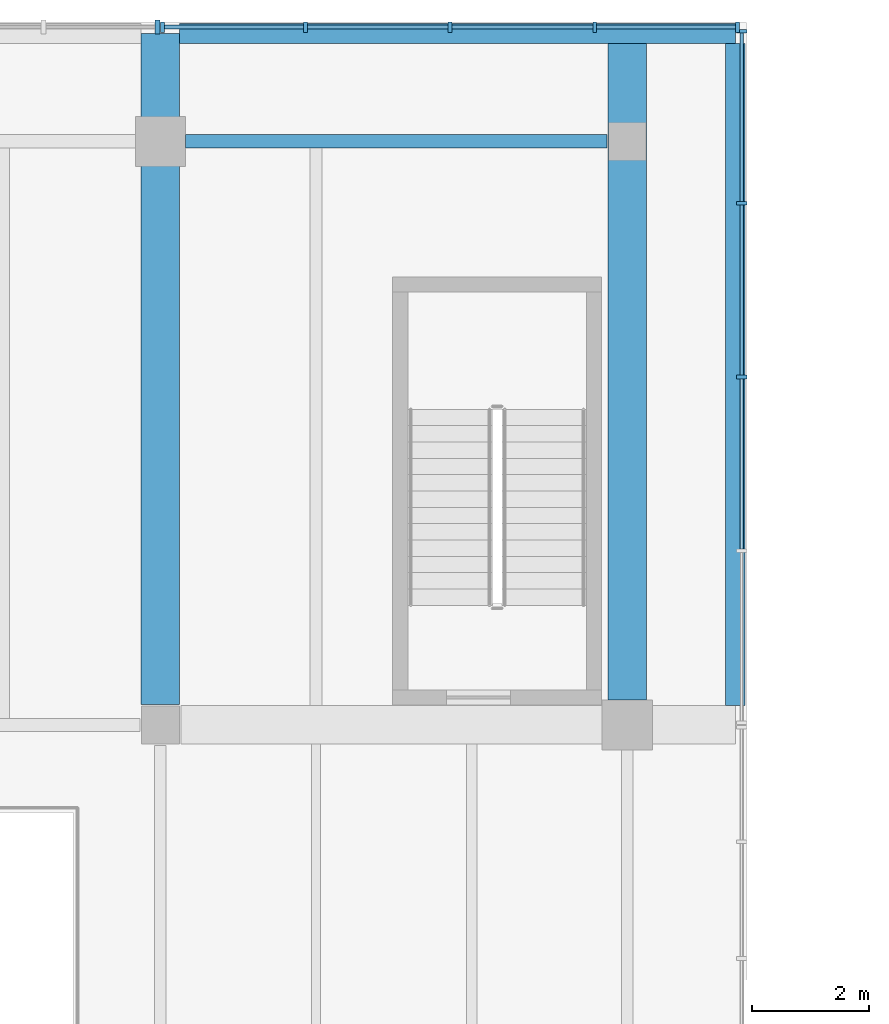
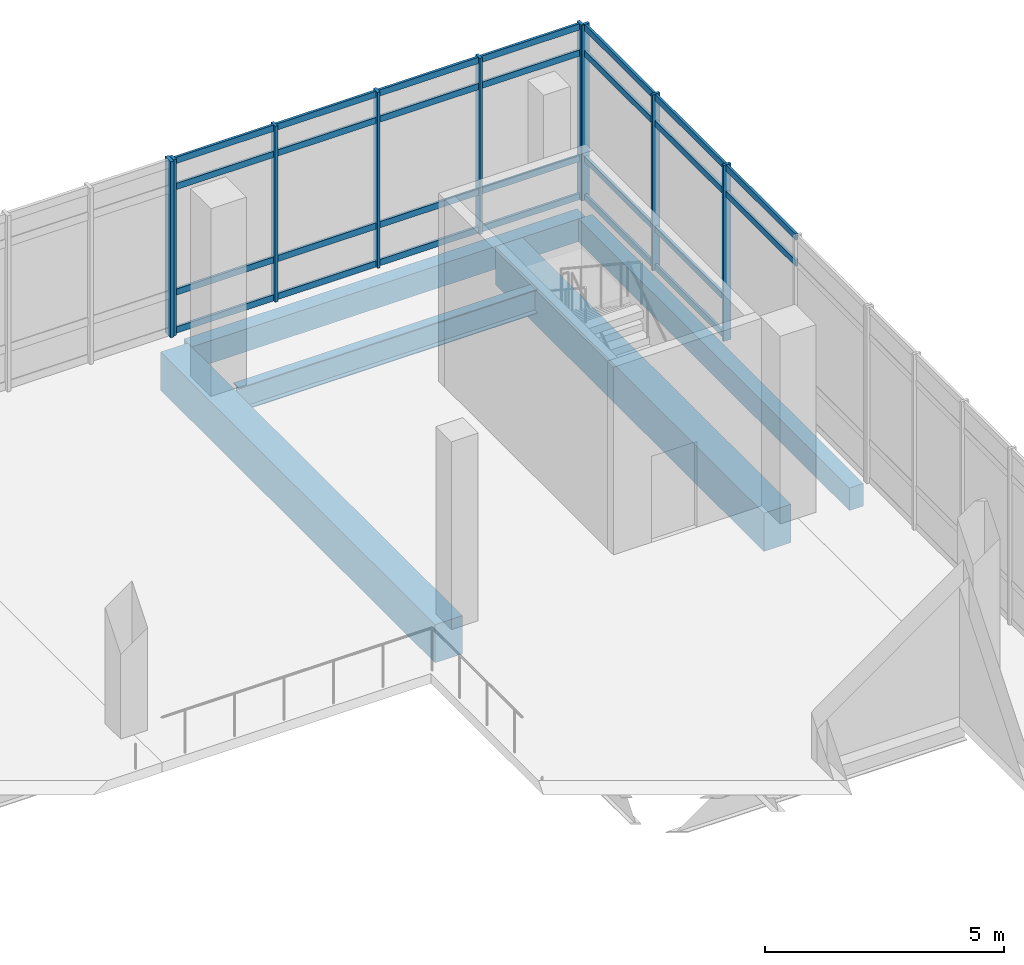
# One storey, part 14 of 28: 35 members, 5 beams, 3 elements without a shape of their own.
"""IFC4 building model written with IfcOpenShell, lengths in metres."""

from ifc_helpers import new_model, si_unit, direction, frame, origin, origin_2d, place, context, subcontext, project, spatial, rectangle, i_section, extrude, material, material_profile, profile_set, type_object, element, aggregate, save


model = new_model("IFC4")

# Units and contexts
model_context = context("Model", 3, precision=1e-05, world=origin(), true_north=direction((0.0, 1.0)))
body_context = subcontext(model_context, "Body", "Model", "MODEL_VIEW")
ifc_project = project(units=[si_unit("LENGTHUNIT", "METRE"), si_unit("AREAUNIT", "SQUARE_METRE"), si_unit("VOLUMEUNIT", "CUBIC_METRE"), si_unit("PLANEANGLEUNIT", "RADIAN"), si_unit("MASSUNIT", "GRAM", prefix="KILO")], contexts=[model_context])

# Site, building, storey
site_placement = place(None, origin())
site = spatial("IfcSite", under=ifc_project, at=site_placement, CompositionType="ELEMENT")
building_placement = place(site_placement, origin())
building = spatial("IfcBuilding", under=site, at=building_placement, Name="Pecanmere Concourse Central Library", CompositionType="ELEMENT")
storey_placement = place(building_placement, frame((0.0, 0.0, 20.10009765625)))
storey = spatial("IfcBuildingStorey", under=building, at=storey_placement, Name="L05", CompositionType="ELEMENT", Elevation=20.10009765625)

# Curtain wall, members
ifc_material_1 = material(Name="Anodized bronze aluminium alloy 6063-T6", Category="aluminium")
curtain_wall_type_1 = type_object("IfcCurtainWallType", Name="CW_PLUMB_BANDED", PredefinedType="USERDEFINED", material=ifc_material_1)
curtain_wall_1_placement = place(storey_placement, origin())
curtain_wall_1 = element("IfcCurtainWall", 1, at=curtain_wall_1_placement, inside=storey, type_object=curtain_wall_type_1, Name="Unitised Curtain Wall CW-02 L05-054", ObjectType="UNITISED CURTAIN WALL", PredefinedType="USERDEFINED")
ifc_material_2 = material(Name="Anodized bronze aluminium alloy 6063-T6", Category="aluminium")
ifc_material_profile_1 = material_profile(ifc_material_2, rectangle(XDim=0.06494140625, YDim=0.179931640625, at=origin_2d()), Name="AL 65x180")
ifc_profile_set_1 = profile_set([ifc_material_profile_1], Name="Anodized bronze aluminium alloy 6063-T6")
member_type_1 = type_object("IfcMemberType", Name="CWM_180x65", PredefinedType="MULLION", material=ifc_profile_set_1)
member_1_placement = place(storey_placement, frame((105.888916015625, 125.96142578125, 0.0), z_axis=(0.0, 0.0, 1.0), x_axis=(-1.0, 0.0, 0.0)))
member_1 = element("IfcMember", 2, at=member_1_placement, type_object=member_type_1, Name="CW-02 Mullion 1", PredefinedType="MULLION", context=body_context, shape_type="SweptSolid", body=[
    extrude(rectangle(XDim=0.06494140625, YDim=0.179931640625, at=origin_2d()), origin(), (0.0, 0.0, 1.0), 4.5),
])
member_2_placement = place(storey_placement, frame((103.4423828125, 125.96142578125, 0.0), z_axis=(0.0, 0.0, 1.0), x_axis=(-1.0, 0.0, 0.0)))
member_2 = element("IfcMember", 3, at=member_2_placement, type_object=member_type_1, Name="CW-02 Mullion 2", PredefinedType="MULLION", context=body_context, shape_type="SweptSolid", body=[
    extrude(rectangle(XDim=0.06494140625, YDim=0.179931640625, at=origin_2d()), origin(), (0.0, 0.0, 1.0), 4.5),
])
member_3_placement = place(storey_placement, frame((100.963134765625, 125.96142578125, 0.0), z_axis=(0.0, 0.0, 1.0), x_axis=(-1.0, 0.0, 0.0)))
member_3 = element("IfcMember", 4, at=member_3_placement, type_object=member_type_1, Name="CW-02 Mullion 3", PredefinedType="MULLION", context=body_context, shape_type="SweptSolid", body=[
    extrude(rectangle(XDim=0.06494140625, YDim=0.179931640625, at=origin_2d()), origin(), (0.0, 0.0, 1.0), 4.5),
])
member_4_placement = place(storey_placement, frame((98.484130859375, 125.96142578125, 0.0), z_axis=(0.0, 0.0, 1.0), x_axis=(-1.0, 0.0, 0.0)))
member_4 = element("IfcMember", 5, at=member_4_placement, type_object=member_type_1, Name="CW-02 Mullion 4", PredefinedType="MULLION", context=body_context, shape_type="SweptSolid", body=[
    extrude(rectangle(XDim=0.06494140625, YDim=0.179931640625, at=origin_2d()), origin(), (0.0, 0.0, 1.0), 4.5),
])
member_5_placement = place(storey_placement, frame((96.03759765625, 125.96142578125, 0.0), z_axis=(0.0, 0.0, 1.0), x_axis=(-1.0, 0.0, 0.0)))
member_5 = element("IfcMember", 6, at=member_5_placement, type_object=member_type_1, Name="CW-02 Mullion 5", PredefinedType="MULLION", context=body_context, shape_type="SweptSolid", body=[
    extrude(rectangle(XDim=0.06494140625, YDim=0.179931640625, at=origin_2d()), origin(), (0.0, 0.0, 1.0), 4.5),
])

curtain_wall_2_placement = place(storey_placement, origin())
curtain_wall_2 = element("IfcCurtainWall", 7, at=curtain_wall_2_placement, inside=storey, type_object=curtain_wall_type_1, Name="Unitised Curtain Wall CW-02 L05-065", ObjectType="UNITISED CURTAIN WALL", PredefinedType="USERDEFINED")
member_6_placement = place(storey_placement, frame((105.96142578125, 119.963134765625, 0.0), z_axis=(0.0, 0.0, 1.0), x_axis=(0.0, 1.0, 0.0)))
member_6 = element("IfcMember", 8, at=member_6_placement, type_object=member_type_1, Name="CW-02 Mullion 3", PredefinedType="MULLION", context=body_context, shape_type="SweptSolid", body=[
    extrude(rectangle(XDim=0.06494140625, YDim=0.179931640625, at=origin_2d()), origin(), (0.0, 0.0, 1.0), 4.5),
])
member_7_placement = place(storey_placement, frame((105.96142578125, 122.9423828125, 0.0), z_axis=(0.0, 0.0, 1.0), x_axis=(0.0, 1.0, 0.0)))
member_7 = element("IfcMember", 9, at=member_7_placement, type_object=member_type_1, Name="CW-02 Mullion 4", PredefinedType="MULLION", context=body_context, shape_type="SweptSolid", body=[
    extrude(rectangle(XDim=0.06494140625, YDim=0.179931640625, at=origin_2d()), origin(), (0.0, 0.0, 1.0), 4.5),
])
member_8_placement = place(storey_placement, frame((105.96142578125, 125.888916015625, 0.0), z_axis=(0.0, 0.0, 1.0), x_axis=(0.0, 1.0, 0.0)))
member_8 = element("IfcMember", 10, at=member_8_placement, type_object=member_type_1, Name="CW-02 Mullion 5", PredefinedType="MULLION", context=body_context, shape_type="SweptSolid", body=[
    extrude(rectangle(XDim=0.06494140625, YDim=0.179931640625, at=origin_2d()), origin(), (0.0, 0.0, 1.0), 4.5),
])

# Curtain wall, member
ifc_material_3 = material(Name="Anodized bronze aluminium alloy 6063-T6", Category="aluminium")
curtain_wall_type_2 = type_object("IfcCurtainWallType", Name="CW_PORTAL_CLEAR", PredefinedType="USERDEFINED", material=ifc_material_3)
curtain_wall_3_placement = place(storey_placement, origin())
curtain_wall_3 = element("IfcCurtainWall", 11, at=curtain_wall_3_placement, inside=storey, type_object=curtain_wall_type_2, Name="Unitised Curtain Wall CW-03 L05-055", ObjectType="UNITISED CURTAIN WALL", PredefinedType="USERDEFINED")
ifc_material_4 = material(Name="Anodized bronze aluminium alloy 6063-T6", Category="aluminium")
ifc_material_profile_2 = material_profile(ifc_material_4, rectangle(XDim=0.0849609375, YDim=0.239990234375, at=origin_2d()), Name="AL 85x240")
ifc_profile_set_2 = profile_set([ifc_material_profile_2], Name="Anodized bronze aluminium alloy 6063-T6")
member_type_2 = type_object("IfcMemberType", Name="CWM_240x85", PredefinedType="MULLION", material=ifc_profile_set_2)
member_9_placement = place(storey_placement, frame((95.952392578125, 125.96142578125, 0.0), z_axis=(0.0, 0.0, 1.0), x_axis=(-1.0, 0.0, 0.0)))
member_9 = element("IfcMember", 12, at=member_9_placement, type_object=member_type_2, Name="CW-03 Mullion 1", PredefinedType="MULLION", context=body_context, shape_type="SweptSolid", body=[
    extrude(rectangle(XDim=0.0849609375, YDim=0.239990234375, at=origin_2d()), origin(), (0.0, 0.0, 1.0), 4.5),
])
aggregate(curtain_wall_3, [member_9])

# Member
ifc_material_5 = material(Name="Anodized bronze aluminium alloy 6063-T6", Category="aluminium")
ifc_material_profile_3 = material_profile(ifc_material_5, rectangle(XDim=0.06005859375, YDim=0.159912109375, at=origin_2d()), Name="AL 60x160")
ifc_profile_set_3 = profile_set([ifc_material_profile_3], Name="Anodized bronze aluminium alloy 6063-T6")
member_type_3 = type_object("IfcMemberType", Name="CWT_160x60", PredefinedType="USERDEFINED", material=ifc_profile_set_3)
member_10_placement = place(storey_placement, frame((105.8564453125, 125.96142578125, 0.079833984375), z_axis=(-1.0, 0.0, 0.0), x_axis=(0.0, -1.0, 0.0)))
member_10 = element("IfcMember", 13, at=member_10_placement, type_object=member_type_3, Name="CW-02 Transom 1.1", ObjectType="TRANSOM", PredefinedType="USERDEFINED", context=body_context, shape_type="SweptSolid", body=[
    extrude(rectangle(XDim=0.06005859375, YDim=0.159912109375, at=origin_2d()), origin(), (0.0, 0.0, 1.0), 2.381591796875),
])

member_11_placement = place(storey_placement, frame((105.8564453125, 125.96142578125, 1.0498046875), z_axis=(-1.0, 0.0, 0.0), x_axis=(0.0, -1.0, 0.0)))
member_11 = element("IfcMember", 14, at=member_11_placement, type_object=member_type_3, Name="CW-02 Transom 1.2", ObjectType="TRANSOM", PredefinedType="USERDEFINED", context=body_context, shape_type="SweptSolid", body=[
    extrude(rectangle(XDim=0.06005859375, YDim=0.159912109375, at=origin_2d()), origin(), (0.0, 0.0, 1.0), 2.381591796875),
])

member_12_placement = place(storey_placement, frame((105.8564453125, 125.96142578125, 3.75), z_axis=(-1.0, 0.0, 0.0), x_axis=(0.0, -1.0, 0.0)))
member_12 = element("IfcMember", 15, at=member_12_placement, type_object=member_type_3, Name="CW-02 Transom 1.3", ObjectType="TRANSOM", PredefinedType="USERDEFINED", context=body_context, shape_type="SweptSolid", body=[
    extrude(rectangle(XDim=0.06005859375, YDim=0.159912109375, at=origin_2d()), origin(), (0.0, 0.0, 1.0), 2.381591796875),
])

member_13_placement = place(storey_placement, frame((105.8564453125, 125.96142578125, 4.419921875), z_axis=(-1.0, 0.0, 0.0), x_axis=(0.0, -1.0, 0.0)))
member_13 = element("IfcMember", 16, at=member_13_placement, type_object=member_type_3, Name="CW-02 Transom 1.4", ObjectType="TRANSOM", PredefinedType="USERDEFINED", context=body_context, shape_type="SweptSolid", body=[
    extrude(rectangle(XDim=0.06005859375, YDim=0.159912109375, at=origin_2d()), origin(), (0.0, 0.0, 1.0), 2.381591796875),
])

member_14_placement = place(storey_placement, frame((103.409912109375, 125.96142578125, 0.079833984375), z_axis=(-1.0, 0.0, 0.0), x_axis=(0.0, -1.0, 0.0)))
member_14 = element("IfcMember", 17, at=member_14_placement, type_object=member_type_3, Name="CW-02 Transom 2.1", ObjectType="TRANSOM", PredefinedType="USERDEFINED", context=body_context, shape_type="SweptSolid", body=[
    extrude(rectangle(XDim=0.06005859375, YDim=0.159912109375, at=origin_2d()), origin(), (0.0, 0.0, 1.0), 2.4140625),
])

member_15_placement = place(storey_placement, frame((103.409912109375, 125.96142578125, 1.0498046875), z_axis=(-1.0, 0.0, 0.0), x_axis=(0.0, -1.0, 0.0)))
member_15 = element("IfcMember", 18, at=member_15_placement, type_object=member_type_3, Name="CW-02 Transom 2.2", ObjectType="TRANSOM", PredefinedType="USERDEFINED", context=body_context, shape_type="SweptSolid", body=[
    extrude(rectangle(XDim=0.06005859375, YDim=0.159912109375, at=origin_2d()), origin(), (0.0, 0.0, 1.0), 2.4140625),
])

member_16_placement = place(storey_placement, frame((103.409912109375, 125.96142578125, 3.75), z_axis=(-1.0, 0.0, 0.0), x_axis=(0.0, -1.0, 0.0)))
member_16 = element("IfcMember", 19, at=member_16_placement, type_object=member_type_3, Name="CW-02 Transom 2.3", ObjectType="TRANSOM", PredefinedType="USERDEFINED", context=body_context, shape_type="SweptSolid", body=[
    extrude(rectangle(XDim=0.06005859375, YDim=0.159912109375, at=origin_2d()), origin(), (0.0, 0.0, 1.0), 2.4140625),
])

member_17_placement = place(storey_placement, frame((103.409912109375, 125.96142578125, 4.419921875), z_axis=(-1.0, 0.0, 0.0), x_axis=(0.0, -1.0, 0.0)))
member_17 = element("IfcMember", 20, at=member_17_placement, type_object=member_type_3, Name="CW-02 Transom 2.4", ObjectType="TRANSOM", PredefinedType="USERDEFINED", context=body_context, shape_type="SweptSolid", body=[
    extrude(rectangle(XDim=0.06005859375, YDim=0.159912109375, at=origin_2d()), origin(), (0.0, 0.0, 1.0), 2.4140625),
])

member_18_placement = place(storey_placement, frame((100.9306640625, 125.96142578125, 0.079833984375), z_axis=(-1.0, 0.0, 0.0), x_axis=(0.0, -1.0, 0.0)))
member_18 = element("IfcMember", 21, at=member_18_placement, type_object=member_type_3, Name="CW-02 Transom 3.1", ObjectType="TRANSOM", PredefinedType="USERDEFINED", context=body_context, shape_type="SweptSolid", body=[
    extrude(rectangle(XDim=0.06005859375, YDim=0.159912109375, at=origin_2d()), origin(), (0.0, 0.0, 1.0), 2.4140625),
])

member_19_placement = place(storey_placement, frame((100.9306640625, 125.96142578125, 1.0498046875), z_axis=(-1.0, 0.0, 0.0), x_axis=(0.0, -1.0, 0.0)))
member_19 = element("IfcMember", 22, at=member_19_placement, type_object=member_type_3, Name="CW-02 Transom 3.2", ObjectType="TRANSOM", PredefinedType="USERDEFINED", context=body_context, shape_type="SweptSolid", body=[
    extrude(rectangle(XDim=0.06005859375, YDim=0.159912109375, at=origin_2d()), origin(), (0.0, 0.0, 1.0), 2.4140625),
])

member_20_placement = place(storey_placement, frame((100.9306640625, 125.96142578125, 3.75), z_axis=(-1.0, 0.0, 0.0), x_axis=(0.0, -1.0, 0.0)))
member_20 = element("IfcMember", 23, at=member_20_placement, type_object=member_type_3, Name="CW-02 Transom 3.3", ObjectType="TRANSOM", PredefinedType="USERDEFINED", context=body_context, shape_type="SweptSolid", body=[
    extrude(rectangle(XDim=0.06005859375, YDim=0.159912109375, at=origin_2d()), origin(), (0.0, 0.0, 1.0), 2.4140625),
])

member_21_placement = place(storey_placement, frame((100.9306640625, 125.96142578125, 4.419921875), z_axis=(-1.0, 0.0, 0.0), x_axis=(0.0, -1.0, 0.0)))
member_21 = element("IfcMember", 24, at=member_21_placement, type_object=member_type_3, Name="CW-02 Transom 3.4", ObjectType="TRANSOM", PredefinedType="USERDEFINED", context=body_context, shape_type="SweptSolid", body=[
    extrude(rectangle(XDim=0.06005859375, YDim=0.159912109375, at=origin_2d()), origin(), (0.0, 0.0, 1.0), 2.4140625),
])

member_22_placement = place(storey_placement, frame((98.45166015625, 125.96142578125, 0.079833984375), z_axis=(-1.0, 0.0, 0.0), x_axis=(0.0, -1.0, 0.0)))
member_22 = element("IfcMember", 25, at=member_22_placement, type_object=member_type_3, Name="CW-02 Transom 4.1", ObjectType="TRANSOM", PredefinedType="USERDEFINED", context=body_context, shape_type="SweptSolid", body=[
    extrude(rectangle(XDim=0.06005859375, YDim=0.159912109375, at=origin_2d()), origin(), (0.0, 0.0, 1.0), 2.381591796875),
])

member_23_placement = place(storey_placement, frame((98.45166015625, 125.96142578125, 1.0498046875), z_axis=(-1.0, 0.0, 0.0), x_axis=(0.0, -1.0, 0.0)))
member_23 = element("IfcMember", 26, at=member_23_placement, type_object=member_type_3, Name="CW-02 Transom 4.2", ObjectType="TRANSOM", PredefinedType="USERDEFINED", context=body_context, shape_type="SweptSolid", body=[
    extrude(rectangle(XDim=0.06005859375, YDim=0.159912109375, at=origin_2d()), origin(), (0.0, 0.0, 1.0), 2.381591796875),
])

member_24_placement = place(storey_placement, frame((98.45166015625, 125.96142578125, 3.75), z_axis=(-1.0, 0.0, 0.0), x_axis=(0.0, -1.0, 0.0)))
member_24 = element("IfcMember", 27, at=member_24_placement, type_object=member_type_3, Name="CW-02 Transom 4.3", ObjectType="TRANSOM", PredefinedType="USERDEFINED", context=body_context, shape_type="SweptSolid", body=[
    extrude(rectangle(XDim=0.06005859375, YDim=0.159912109375, at=origin_2d()), origin(), (0.0, 0.0, 1.0), 2.381591796875),
])

member_25_placement = place(storey_placement, frame((98.45166015625, 125.96142578125, 4.419921875), z_axis=(-1.0, 0.0, 0.0), x_axis=(0.0, -1.0, 0.0)))
member_25 = element("IfcMember", 28, at=member_25_placement, type_object=member_type_3, Name="CW-02 Transom 4.4", ObjectType="TRANSOM", PredefinedType="USERDEFINED", context=body_context, shape_type="SweptSolid", body=[
    extrude(rectangle(XDim=0.06005859375, YDim=0.159912109375, at=origin_2d()), origin(), (0.0, 0.0, 1.0), 2.381591796875),
])

aggregate(curtain_wall_1, [member_1, member_2, member_3, member_4, member_5, member_10, member_11, member_12, member_13, member_14, member_15, member_16, member_17, member_18, member_19, member_20, member_21, member_22, member_23, member_24, member_25])

member_26_placement = place(storey_placement, frame((105.96142578125, 117.0166015625, 3.75), z_axis=(0.0, 1.0, 0.0), x_axis=(-1.0, 0.0, 0.0)))
member_26 = element("IfcMember", 29, at=member_26_placement, type_object=member_type_3, Name="CW-02 Transom 2.3", ObjectType="TRANSOM", PredefinedType="USERDEFINED", context=body_context, shape_type="SweptSolid", body=[
    extrude(rectangle(XDim=0.06005859375, YDim=0.159912109375, at=origin_2d()), origin(), (0.0, 0.0, 1.0), 2.9140625),
])

member_27_placement = place(storey_placement, frame((105.96142578125, 117.0166015625, 4.419921875), z_axis=(0.0, 1.0, 0.0), x_axis=(-1.0, 0.0, 0.0)))
member_27 = element("IfcMember", 30, at=member_27_placement, type_object=member_type_3, Name="CW-02 Transom 2.4", ObjectType="TRANSOM", PredefinedType="USERDEFINED", context=body_context, shape_type="SweptSolid", body=[
    extrude(rectangle(XDim=0.06005859375, YDim=0.159912109375, at=origin_2d()), origin(), (0.0, 0.0, 1.0), 2.9140625),
])

member_28_placement = place(storey_placement, frame((105.96142578125, 119.995849609375, 0.079833984375), z_axis=(0.0, 1.0, 0.0), x_axis=(-1.0, 0.0, 0.0)))
member_28 = element("IfcMember", 31, at=member_28_placement, type_object=member_type_3, Name="CW-02 Transom 3.1", ObjectType="TRANSOM", PredefinedType="USERDEFINED", context=body_context, shape_type="SweptSolid", body=[
    extrude(rectangle(XDim=0.06005859375, YDim=0.159912109375, at=origin_2d()), origin(), (0.0, 0.0, 1.0), 2.9140625),
])

member_29_placement = place(storey_placement, frame((105.96142578125, 119.995849609375, 1.0498046875), z_axis=(0.0, 1.0, 0.0), x_axis=(-1.0, 0.0, 0.0)))
member_29 = element("IfcMember", 32, at=member_29_placement, type_object=member_type_3, Name="CW-02 Transom 3.2", ObjectType="TRANSOM", PredefinedType="USERDEFINED", context=body_context, shape_type="SweptSolid", body=[
    extrude(rectangle(XDim=0.06005859375, YDim=0.159912109375, at=origin_2d()), origin(), (0.0, 0.0, 1.0), 2.9140625),
])

member_30_placement = place(storey_placement, frame((105.96142578125, 119.995849609375, 3.75), z_axis=(0.0, 1.0, 0.0), x_axis=(-1.0, 0.0, 0.0)))
member_30 = element("IfcMember", 33, at=member_30_placement, type_object=member_type_3, Name="CW-02 Transom 3.3", ObjectType="TRANSOM", PredefinedType="USERDEFINED", context=body_context, shape_type="SweptSolid", body=[
    extrude(rectangle(XDim=0.06005859375, YDim=0.159912109375, at=origin_2d()), origin(), (0.0, 0.0, 1.0), 2.9140625),
])

member_31_placement = place(storey_placement, frame((105.96142578125, 119.995849609375, 4.419921875), z_axis=(0.0, 1.0, 0.0), x_axis=(-1.0, 0.0, 0.0)))
member_31 = element("IfcMember", 34, at=member_31_placement, type_object=member_type_3, Name="CW-02 Transom 3.4", ObjectType="TRANSOM", PredefinedType="USERDEFINED", context=body_context, shape_type="SweptSolid", body=[
    extrude(rectangle(XDim=0.06005859375, YDim=0.159912109375, at=origin_2d()), origin(), (0.0, 0.0, 1.0), 2.9140625),
])

member_32_placement = place(storey_placement, frame((105.96142578125, 122.974853515625, 0.079833984375), z_axis=(0.0, 1.0, 0.0), x_axis=(-1.0, 0.0, 0.0)))
member_32 = element("IfcMember", 35, at=member_32_placement, type_object=member_type_3, Name="CW-02 Transom 4.1", ObjectType="TRANSOM", PredefinedType="USERDEFINED", context=body_context, shape_type="SweptSolid", body=[
    extrude(rectangle(XDim=0.06005859375, YDim=0.159912109375, at=origin_2d()), origin(), (0.0, 0.0, 1.0), 2.881591796875),
])

member_33_placement = place(storey_placement, frame((105.96142578125, 122.974853515625, 1.0498046875), z_axis=(0.0, 1.0, 0.0), x_axis=(-1.0, 0.0, 0.0)))
member_33 = element("IfcMember", 36, at=member_33_placement, type_object=member_type_3, Name="CW-02 Transom 4.2", ObjectType="TRANSOM", PredefinedType="USERDEFINED", context=body_context, shape_type="SweptSolid", body=[
    extrude(rectangle(XDim=0.06005859375, YDim=0.159912109375, at=origin_2d()), origin(), (0.0, 0.0, 1.0), 2.881591796875),
])

member_34_placement = place(storey_placement, frame((105.96142578125, 122.974853515625, 3.75), z_axis=(0.0, 1.0, 0.0), x_axis=(-1.0, 0.0, 0.0)))
member_34 = element("IfcMember", 37, at=member_34_placement, type_object=member_type_3, Name="CW-02 Transom 4.3", ObjectType="TRANSOM", PredefinedType="USERDEFINED", context=body_context, shape_type="SweptSolid", body=[
    extrude(rectangle(XDim=0.06005859375, YDim=0.159912109375, at=origin_2d()), origin(), (0.0, 0.0, 1.0), 2.881591796875),
])

member_35_placement = place(storey_placement, frame((105.96142578125, 122.974853515625, 4.419921875), z_axis=(0.0, 1.0, 0.0), x_axis=(-1.0, 0.0, 0.0)))
member_35 = element("IfcMember", 38, at=member_35_placement, type_object=member_type_3, Name="CW-02 Transom 4.4", ObjectType="TRANSOM", PredefinedType="USERDEFINED", context=body_context, shape_type="SweptSolid", body=[
    extrude(rectangle(XDim=0.06005859375, YDim=0.159912109375, at=origin_2d()), origin(), (0.0, 0.0, 1.0), 2.881591796875),
])

aggregate(curtain_wall_2, [member_6, member_7, member_8, member_26, member_27, member_28, member_29, member_30, member_31, member_32, member_33, member_34, member_35])

# Beams
ifc_material_6 = material(Name="Concrete C40/50", Category="concrete")
ifc_material_profile_4 = material_profile(ifc_material_6, rectangle(XDim=0.659912109375, YDim=0.97998046875, at=origin_2d()), Name="RC 660x980")
ifc_profile_set_4 = profile_set([ifc_material_profile_4], Name="Concrete C40/50")
beam_type_1 = type_object("IfcBeamType", Name="GRD_660x980", PredefinedType="USERDEFINED", material=ifc_profile_set_4)
beam_1_placement = place(storey_placement, frame((96.0, 114.35009765625, -0.77001953125), z_axis=(0.0, 1.0, 0.0), x_axis=(-1.0, 0.0, 0.0)))
element("IfcBeam", 39, at=beam_1_placement, inside=storey, type_object=beam_type_1, Name="Primary Girder Y L05-2518", ObjectType="GIRDER", PredefinedType="USERDEFINED", context=body_context, shape_type="SweptSolid", body=[
    extrude(rectangle(XDim=0.659912109375, YDim=0.97998046875, at=origin_2d()), origin(), (0.0, 0.0, 1.0), 11.50146484375),
])
beam_2_placement = place(storey_placement, frame((104.0, 114.429931640625, -0.77001953125), z_axis=(0.0, 1.0, 0.0), x_axis=(-1.0, 0.0, 0.0)))
element("IfcBeam", 40, at=beam_2_placement, inside=storey, type_object=beam_type_1, Name="Primary Girder Y L05-2522", ObjectType="GIRDER", PredefinedType="USERDEFINED", context=body_context, shape_type="SweptSolid", body=[
    extrude(rectangle(XDim=0.659912109375, YDim=0.97998046875, at=origin_2d()), origin(), (0.0, 0.0, 1.0), 11.25146484375),
])
ifc_material_7 = material(Name="Structural steel ASTM A992 Grade 50", Category="steel")
ifc_material_profile_5 = material_profile(ifc_material_7, i_section(OverallWidth=0.22998046875, OverallDepth=0.616943359375, WebThickness=0.01318359375, FlangeThickness=0.022216796875, at=origin_2d()), Name="W610x140")
ifc_profile_set_5 = profile_set([ifc_material_profile_5], Name="Structural steel ASTM A992 Grade 50")
beam_type_2 = type_object("IfcBeamType", Name="SBM_W610x140", PredefinedType="USERDEFINED", material=ifc_profile_set_5)
beam_3_placement = place(storey_placement, frame((96.429931640625, 124.0, -0.588623046875), z_axis=(1.0, 0.0, 0.0), x_axis=(0.0, 1.0, 0.0)))
element("IfcBeam", 41, at=beam_3_placement, inside=storey, type_object=beam_type_2, Name="Primary Girder X L05-2483", ObjectType="GIRDER", PredefinedType="USERDEFINED", context=body_context, shape_type="SweptSolid", body=[
    extrude(i_section(OverallWidth=0.22998046875, OverallDepth=0.616943359375, WebThickness=0.01318359375, FlangeThickness=0.022216796875, at=origin_2d()), origin(), (0.0, 0.0, 1.0), 7.219970703125),
])
ifc_material_8 = material(Name="Concrete C40/50", Category="concrete")
ifc_material_profile_6 = material_profile(ifc_material_8, rectangle(XDim=0.340087890625, YDim=0.580078125, at=origin_2d()), Name="RC 340x580")
ifc_profile_set_6 = profile_set([ifc_material_profile_6], Name="Concrete C40/50")
beam_type_3 = type_object("IfcBeamType", Name="SPB_340x580", PredefinedType="BEAM", material=ifc_profile_set_6)
beam_4_placement = place(storey_placement, frame((96.330078125, 125.8515625, -0.570068359375), z_axis=(1.0, 0.0, 0.0), x_axis=(0.0, 1.0, 0.0)))
element("IfcBeam", 42, at=beam_4_placement, inside=storey, type_object=beam_type_3, Name="Leaning Facade Edge Beam L05-2551", PredefinedType="BEAM", context=body_context, shape_type="SweptSolid", body=[
    extrude(rectangle(XDim=0.340087890625, YDim=0.580078125, at=origin_2d()), origin(), (0.0, 0.0, 1.0), 9.521484375),
])
beam_5_placement = place(storey_placement, frame((105.8515625, 114.330078125, -0.570068359375), z_axis=(0.0, 1.0, 0.0), x_axis=(-1.0, 0.0, 0.0)))
element("IfcBeam", 43, at=beam_5_placement, inside=storey, type_object=beam_type_3, Name="Leaning Facade Edge Beam L05-2553", PredefinedType="BEAM", context=body_context, shape_type="SweptSolid", body=[
    extrude(rectangle(XDim=0.340087890625, YDim=0.580078125, at=origin_2d()), origin(), (0.0, 0.0, 1.0), 11.351318359375),
])

save(model, "model.ifc")
